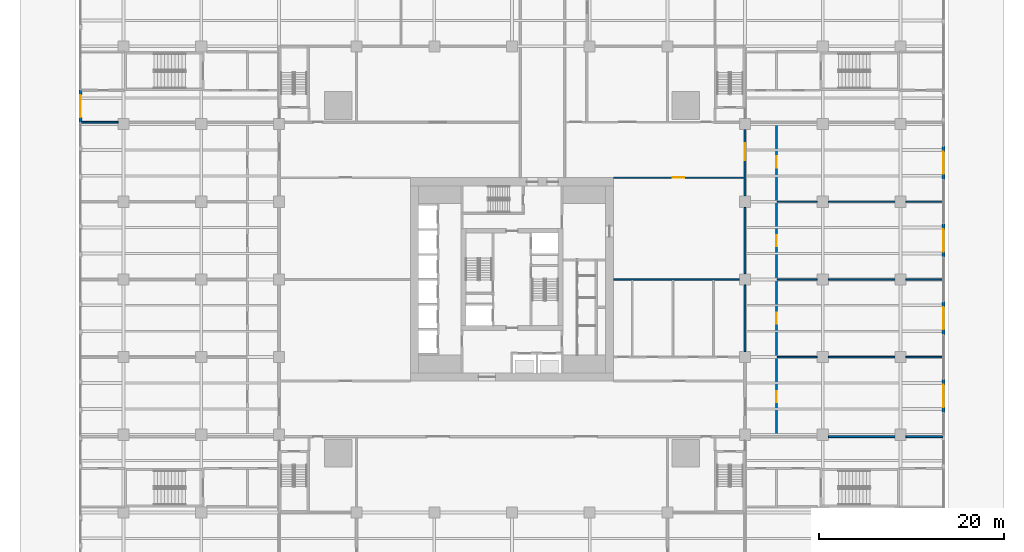
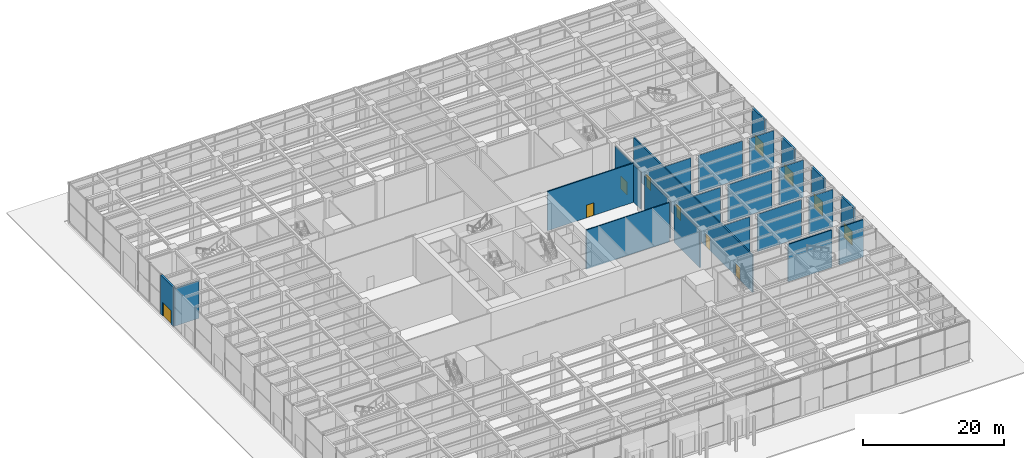
# One storey, part 33 of 43: 23 walls, 11 doors, 11 openings.
"""IFC4 building model written with IfcOpenShell, lengths in metres."""

from ifc_helpers import new_model, si_unit, direction, frame, frame_2d, origin, place, context, subcontext, project, spatial, rectangle, extrude, material, layer, layer_set, type_object, element, fill, save


model = new_model("IFC4")

# Units and contexts
model_context = context("Model", 3, precision=1e-05, world=origin(), true_north=direction((0.0, 1.0)))
body_context = subcontext(model_context, "Body", "Model", "MODEL_VIEW")
ifc_project = project(units=[si_unit("LENGTHUNIT", "METRE"), si_unit("AREAUNIT", "SQUARE_METRE"), si_unit("VOLUMEUNIT", "CUBIC_METRE"), si_unit("PLANEANGLEUNIT", "RADIAN"), si_unit("MASSUNIT", "GRAM", prefix="KILO")], contexts=[model_context])

# Site, building, storey
site_placement = place(None, origin())
site = spatial("IfcSite", under=ifc_project, at=site_placement, CompositionType="ELEMENT")
building_placement = place(site_placement, origin())
building = spatial("IfcBuilding", under=site, at=building_placement, Name="Khepri Terraces", CompositionType="ELEMENT")
storey_placement = place(building_placement, origin())
storey = spatial("IfcBuildingStorey", under=building, at=storey_placement, Name="L00", CompositionType="ELEMENT", Elevation=0.0)

# Wall, opening, door
ifc_material_1 = material(Name="Precast concrete C50/60 warm stone", Category="masonry")
ifc_layer_1 = layer(ifc_material_1, 0.300048828125, Name="Precast concrete C50/60 warm stone", Category="masonry")
ifc_layer_set_1 = layer_set([ifc_layer_1], Name="Precast concrete C50/60 warm stone")
wall_type_1 = type_object("IfcWallType", Name="WL-EXT-PRECAST-300", PredefinedType="STANDARD", material=ifc_layer_set_1)
wall_1_placement = place(storey_placement, frame((46.64990234375, -14.39990234375, 0.0), z_axis=(0.0, 0.0, 1.0), x_axis=(0.0, 1.0, 0.0)))
wall_1 = element("IfcWall", 1, at=wall_1_placement, inside=storey, type_object=wall_type_1, Name="External wall L00 E", PredefinedType="STANDARD", context=body_context, shape_type="SweptSolid", body=[
    extrude(rectangle(XDim=3.599853515625, YDim=0.300048828125, at=frame_2d((1.7998046875, 0.0))), origin(), (0.0, 0.0, 1.0), 6.780029296875),
])
opening_1_placement = place(wall_1_placement, frame((0.60009765625, 0.0, 0.0)))
opening_1 = element("IfcOpeningElement", 2, at=opening_1_placement, cuts=wall_1, Name="Opening ED-L00-04", PredefinedType="OPENING", context=body_context, shape_type="SweptSolid", body=[
    extrude(rectangle(XDim=2.39990234375, YDim=2.39990234375, at=frame_2d((1.199951171875, 1.199951171875))), frame((0.0, 0.16015625, 0.0), z_axis=(0.0, -1.0, 0.0), x_axis=(1.0, 0.0, 0.0)), (0.0, 0.0, 1.0), 0.320068359375),
])
ifc_material_2 = material(Name="Anodised aluminium bronze glazed door", Category="aluminium")
door_type_1 = type_object("IfcDoorType", Name="DR-SHOP-2400x2400", OperationType="NOTDEFINED", PredefinedType="DOOR", material=ifc_material_2)
door_1_placement = place(opening_1_placement, frame((2.39990234375, 0.0, 0.0), z_axis=(0.0, 0.0, 1.0), x_axis=(-1.0, 0.0, 0.0)))
door_1 = element("IfcDoor", 3, at=door_1_placement, inside=storey, type_object=door_type_1, Name="Retail door L00 E", OperationType="DOUBLE_DOOR_SINGLE_SWING", OverallHeight=2.39990234375, OverallWidth=2.39990234375, PredefinedType="DOOR", context=body_context, shape_type="SweptSolid", body=[
    extrude(rectangle(XDim=2.39990234375, YDim=2.39990234375, at=frame_2d((1.199951171875, 1.199951171875))), frame((0.0, 0.02490234375, 0.0), z_axis=(0.0, -1.0, 0.0), x_axis=(1.0, 0.0, 0.0)), (0.0, 0.0, 1.0), 0.050048828125),
])
fill(opening_1, door_1)

wall_2_placement = place(storey_placement, frame((46.64990234375, -6.0, 0.0), z_axis=(0.0, 0.0, 1.0), x_axis=(0.0, 1.0, 0.0)))
wall_2 = element("IfcWall", 4, at=wall_2_placement, inside=storey, type_object=wall_type_1, Name="External wall L00 E", PredefinedType="STANDARD", context=body_context, shape_type="SweptSolid", body=[
    extrude(rectangle(XDim=3.60009765625, YDim=0.300048828125, at=frame_2d((1.800048828125, 0.0))), origin(), (0.0, 0.0, 1.0), 6.780029296875),
])
opening_2_placement = place(wall_2_placement, frame((0.60009765625, 0.0, 0.0)))
opening_2 = element("IfcOpeningElement", 5, at=opening_2_placement, cuts=wall_2, Name="Opening ED-L00-05", PredefinedType="OPENING", context=body_context, shape_type="SweptSolid", body=[
    extrude(rectangle(XDim=2.39990234375, YDim=2.39990234375, at=frame_2d((1.199951171875, 1.199951171875))), frame((0.0, 0.16015625, 0.0), z_axis=(0.0, -1.0, 0.0), x_axis=(1.0, 0.0, 0.0)), (0.0, 0.0, 1.0), 0.320068359375),
])
door_2_placement = place(opening_2_placement, frame((2.39990234375, 0.0, 0.0), z_axis=(0.0, 0.0, 1.0), x_axis=(-1.0, 0.0, 0.0)))
door_2 = element("IfcDoor", 6, at=door_2_placement, inside=storey, type_object=door_type_1, Name="Retail door L00 E", OperationType="DOUBLE_DOOR_SINGLE_SWING", OverallHeight=2.39990234375, OverallWidth=2.39990234375, PredefinedType="DOOR", context=body_context, shape_type="SweptSolid", body=[
    extrude(rectangle(XDim=2.39990234375, YDim=2.39990234375, at=frame_2d((1.199951171875, 1.199951171875))), frame((0.0, 0.02490234375, 0.0), z_axis=(0.0, -1.0, 0.0), x_axis=(1.0, 0.0, 0.0)), (0.0, 0.0, 1.0), 0.050048828125),
])
fill(opening_2, door_2)

wall_3_placement = place(storey_placement, frame((46.64990234375, 2.39990234375, 0.0), z_axis=(0.0, 0.0, 1.0), x_axis=(0.0, 1.0, 0.0)))
wall_3 = element("IfcWall", 7, at=wall_3_placement, inside=storey, type_object=wall_type_1, Name="External wall L00 E", PredefinedType="STANDARD", context=body_context, shape_type="SweptSolid", body=[
    extrude(rectangle(XDim=3.60009765625, YDim=0.300048828125, at=frame_2d((1.800048828125, 0.0))), origin(), (0.0, 0.0, 1.0), 6.780029296875),
])
opening_3_placement = place(wall_3_placement, frame((0.60009765625, 0.0, 0.0)))
opening_3 = element("IfcOpeningElement", 8, at=opening_3_placement, cuts=wall_3, Name="Opening ED-L00-06", PredefinedType="OPENING", context=body_context, shape_type="SweptSolid", body=[
    extrude(rectangle(XDim=2.39990234375, YDim=2.39990234375, at=frame_2d((1.199951171875, 1.199951171875))), frame((0.0, 0.16015625, 0.0), z_axis=(0.0, -1.0, 0.0), x_axis=(1.0, 0.0, 0.0)), (0.0, 0.0, 1.0), 0.320068359375),
])
door_3_placement = place(opening_3_placement, frame((2.39990234375, 0.0, 0.0), z_axis=(0.0, 0.0, 1.0), x_axis=(-1.0, 0.0, 0.0)))
door_3 = element("IfcDoor", 9, at=door_3_placement, inside=storey, type_object=door_type_1, Name="Retail door L00 E", OperationType="DOUBLE_DOOR_SINGLE_SWING", OverallHeight=2.39990234375, OverallWidth=2.39990234375, PredefinedType="DOOR", context=body_context, shape_type="SweptSolid", body=[
    extrude(rectangle(XDim=2.39990234375, YDim=2.39990234375, at=frame_2d((1.199951171875, 1.199951171875))), frame((0.0, 0.02490234375, 0.0), z_axis=(0.0, -1.0, 0.0), x_axis=(1.0, 0.0, 0.0)), (0.0, 0.0, 1.0), 0.050048828125),
])
fill(opening_3, door_3)

wall_4_placement = place(storey_placement, frame((46.64990234375, 10.800048828125, 0.0), z_axis=(0.0, 0.0, 1.0), x_axis=(0.0, 1.0, 0.0)))
wall_4 = element("IfcWall", 10, at=wall_4_placement, inside=storey, type_object=wall_type_1, Name="External wall L00 E", PredefinedType="STANDARD", context=body_context, shape_type="SweptSolid", body=[
    extrude(rectangle(XDim=3.599853515625, YDim=0.300048828125, at=frame_2d((1.7998046875, 0.0))), origin(), (0.0, 0.0, 1.0), 6.780029296875),
])
opening_4_placement = place(wall_4_placement, frame((0.60009765625, 0.0, 0.0)))
opening_4 = element("IfcOpeningElement", 11, at=opening_4_placement, cuts=wall_4, Name="Opening ED-L00-07", PredefinedType="OPENING", context=body_context, shape_type="SweptSolid", body=[
    extrude(rectangle(XDim=2.39990234375, YDim=2.39990234375, at=frame_2d((1.199951171875, 1.199951171875))), frame((0.0, 0.16015625, 0.0), z_axis=(0.0, -1.0, 0.0), x_axis=(1.0, 0.0, 0.0)), (0.0, 0.0, 1.0), 0.320068359375),
])
door_4_placement = place(opening_4_placement, frame((2.39990234375, 0.0, 0.0), z_axis=(0.0, 0.0, 1.0), x_axis=(-1.0, 0.0, 0.0)))
door_4 = element("IfcDoor", 12, at=door_4_placement, inside=storey, type_object=door_type_1, Name="Retail door L00 E", OperationType="DOUBLE_DOOR_SINGLE_SWING", OverallHeight=2.39990234375, OverallWidth=2.39990234375, PredefinedType="DOOR", context=body_context, shape_type="SweptSolid", body=[
    extrude(rectangle(XDim=2.39990234375, YDim=2.39990234375, at=frame_2d((1.199951171875, 1.199951171875))), frame((0.0, 0.02490234375, 0.0), z_axis=(0.0, -1.0, 0.0), x_axis=(1.0, 0.0, 0.0)), (0.0, 0.0, 1.0), 0.050048828125),
])
fill(opening_4, door_4)

wall_5_placement = place(storey_placement, frame((-46.64990234375, 20.52490234375, 0.0), z_axis=(0.0, 0.0, 1.0), x_axis=(0.0, -1.0, 0.0)))
wall_5 = element("IfcWall", 13, at=wall_5_placement, inside=storey, type_object=wall_type_1, Name="External wall L00 W", PredefinedType="STANDARD", context=body_context, shape_type="SweptSolid", body=[
    extrude(rectangle(XDim=3.599853515625, YDim=0.300048828125, at=frame_2d((1.7998046875, 0.0))), origin(), (0.0, 0.0, 1.0), 6.780029296875),
])
opening_5_placement = place(wall_5_placement, frame((0.60009765625, 0.0, 0.0)))
opening_5 = element("IfcOpeningElement", 14, at=opening_5_placement, cuts=wall_5, Name="Opening ED-L00-18", PredefinedType="OPENING", context=body_context, shape_type="SweptSolid", body=[
    extrude(rectangle(XDim=2.39990234375, YDim=2.39990234375, at=frame_2d((1.199951171875, 1.199951171875))), frame((0.0, 0.16015625, 0.0), z_axis=(0.0, -1.0, 0.0), x_axis=(1.0, 0.0, 0.0)), (0.0, 0.0, 1.0), 0.320068359375),
])
ifc_material_3 = material(Name="Painted galvanised steel leaf", Category="steel")
door_type_2 = type_object("IfcDoorType", Name="DR-EXIT-2400x2400", OperationType="NOTDEFINED", PredefinedType="DOOR", material=ifc_material_3)
door_5_placement = place(opening_5_placement, frame((2.39990234375, 0.0, 0.0), z_axis=(0.0, 0.0, 1.0), x_axis=(-1.0, 0.0, 0.0)))
door_5 = element("IfcDoor", 15, at=door_5_placement, inside=storey, type_object=door_type_2, Name="Stair discharge door L00 W", OperationType="SINGLE_SWING_LEFT", OverallHeight=2.39990234375, OverallWidth=2.39990234375, PredefinedType="DOOR", context=body_context, shape_type="SweptSolid", body=[
    extrude(rectangle(XDim=2.39990234375, YDim=2.39990234375, at=frame_2d((1.199951171875, 1.199951171875))), frame((0.0, 0.02490234375, 0.0), z_axis=(0.0, -1.0, 0.0), x_axis=(1.0, 0.0, 0.0)), (0.0, 0.0, 1.0), 0.050048828125),
])
fill(opening_5, door_5)

# Walls
ifc_material_4 = material(Name="Gypsum board partition")
ifc_layer_2 = layer(ifc_material_4, 0.14990234375, Name="Gypsum board partition")
ifc_layer_set_2 = layer_set([ifc_layer_2], Name="Gypsum board partition")
wall_type_2 = type_object("IfcWallType", Name="WL-POD-150", PredefinedType="PARTITIONING", material=ifc_layer_set_2)
wall_6_placement = place(storey_placement, frame((28.699951171875, -8.39990234375, 0.0), z_axis=(0.0, 0.0, 1.0), x_axis=(1.0, 0.0, 0.0)))
element("IfcWall", 16, at=wall_6_placement, inside=storey, type_object=wall_type_2, Name="Partition L00-PW034", PredefinedType="PARTITIONING", context=body_context, shape_type="SweptSolid", body=[
    extrude(rectangle(XDim=4.300048828125, YDim=0.14990234375, at=frame_2d((2.14990234375, 0.0))), origin(), (0.0, 0.0, 1.0), 6.47998046875),
])
wall_7_placement = place(storey_placement, frame((34.199951171875, -8.39990234375, 0.0), z_axis=(0.0, 0.0, 1.0), x_axis=(1.0, 0.0, 0.0)))
element("IfcWall", 17, at=wall_7_placement, inside=storey, type_object=wall_type_2, Name="Partition L00-PW035", PredefinedType="PARTITIONING", context=body_context, shape_type="SweptSolid", body=[
    extrude(rectangle(XDim=7.199951171875, YDim=0.14990234375, at=frame_2d((3.60009765625, 0.0))), origin(), (0.0, 0.0, 1.0), 6.47998046875),
])
wall_8_placement = place(storey_placement, frame((42.60009765625, -8.39990234375, 0.0), z_axis=(0.0, 0.0, 1.0), x_axis=(1.0, 0.0, 0.0)))
element("IfcWall", 18, at=wall_8_placement, inside=storey, type_object=wall_type_2, Name="Partition L00-PW036", PredefinedType="PARTITIONING", context=body_context, shape_type="SweptSolid", body=[
    extrude(rectangle(XDim=3.949951171875, YDim=0.14990234375, at=frame_2d((1.97509765625, 0.0))), origin(), (0.0, 0.0, 1.0), 6.47998046875),
])
wall_9_placement = place(storey_placement, frame((11.0, 0.0, 0.0), z_axis=(0.0, 0.0, 1.0), x_axis=(1.0, 0.0, 0.0)))
element("IfcWall", 19, at=wall_9_placement, inside=storey, type_object=wall_type_2, Name="Partition L00-PW041", PredefinedType="PARTITIONING", context=body_context, shape_type="SweptSolid", body=[
    extrude(rectangle(XDim=13.60009765625, YDim=0.14990234375, at=frame_2d((6.800048828125, 0.0))), origin(), (0.0, 0.0, 1.0), 6.780029296875),
])
wall_10_placement = place(storey_placement, frame((28.699951171875, 0.0, 0.0), z_axis=(0.0, 0.0, 1.0), x_axis=(1.0, 0.0, 0.0)))
element("IfcWall", 20, at=wall_10_placement, inside=storey, type_object=wall_type_2, Name="Partition L00-PW042", PredefinedType="PARTITIONING", context=body_context, shape_type="SweptSolid", body=[
    extrude(rectangle(XDim=4.300048828125, YDim=0.14990234375, at=frame_2d((2.14990234375, 0.0))), origin(), (0.0, 0.0, 1.0), 6.47998046875),
])
wall_11_placement = place(storey_placement, frame((34.199951171875, 0.0, 0.0), z_axis=(0.0, 0.0, 1.0), x_axis=(1.0, 0.0, 0.0)))
element("IfcWall", 21, at=wall_11_placement, inside=storey, type_object=wall_type_2, Name="Partition L00-PW043", PredefinedType="PARTITIONING", context=body_context, shape_type="SweptSolid", body=[
    extrude(rectangle(XDim=7.199951171875, YDim=0.14990234375, at=frame_2d((3.60009765625, 0.0))), origin(), (0.0, 0.0, 1.0), 6.47998046875),
])
wall_12_placement = place(storey_placement, frame((42.60009765625, 0.0, 0.0), z_axis=(0.0, 0.0, 1.0), x_axis=(1.0, 0.0, 0.0)))
element("IfcWall", 22, at=wall_12_placement, inside=storey, type_object=wall_type_2, Name="Partition L00-PW044", PredefinedType="PARTITIONING", context=body_context, shape_type="SweptSolid", body=[
    extrude(rectangle(XDim=3.949951171875, YDim=0.14990234375, at=frame_2d((1.97509765625, 0.0))), origin(), (0.0, 0.0, 1.0), 6.47998046875),
])
wall_13_placement = place(storey_placement, frame((28.699951171875, 8.39990234375, 0.0), z_axis=(0.0, 0.0, 1.0), x_axis=(1.0, 0.0, 0.0)))
element("IfcWall", 23, at=wall_13_placement, inside=storey, type_object=wall_type_2, Name="Partition L00-PW048", PredefinedType="PARTITIONING", context=body_context, shape_type="SweptSolid", body=[
    extrude(rectangle(XDim=4.300048828125, YDim=0.14990234375, at=frame_2d((2.14990234375, 0.0))), origin(), (0.0, 0.0, 1.0), 6.47998046875),
])
wall_14_placement = place(storey_placement, frame((34.199951171875, 8.39990234375, 0.0), z_axis=(0.0, 0.0, 1.0), x_axis=(1.0, 0.0, 0.0)))
element("IfcWall", 24, at=wall_14_placement, inside=storey, type_object=wall_type_2, Name="Partition L00-PW049", PredefinedType="PARTITIONING", context=body_context, shape_type="SweptSolid", body=[
    extrude(rectangle(XDim=7.199951171875, YDim=0.14990234375, at=frame_2d((3.60009765625, 0.0))), origin(), (0.0, 0.0, 1.0), 6.47998046875),
])
wall_15_placement = place(storey_placement, frame((42.60009765625, 8.39990234375, 0.0), z_axis=(0.0, 0.0, 1.0), x_axis=(1.0, 0.0, 0.0)))
element("IfcWall", 25, at=wall_15_placement, inside=storey, type_object=wall_type_2, Name="Partition L00-PW050", PredefinedType="PARTITIONING", context=body_context, shape_type="SweptSolid", body=[
    extrude(rectangle(XDim=3.949951171875, YDim=0.14990234375, at=frame_2d((1.97509765625, 0.0))), origin(), (0.0, 0.0, 1.0), 6.47998046875),
])
ifc_material_5 = material(Name="Fire-rated block wall")
ifc_layer_3 = layer(ifc_material_5, 0.199951171875, Name="Fire-rated block wall")
ifc_layer_set_3 = layer_set([ifc_layer_3], Name="Fire-rated block wall")
wall_type_3 = type_object("IfcWallType", Name="WL-POD-200-EI120", PredefinedType="PARTITIONING", material=ifc_layer_set_3)
wall_16_placement = place(storey_placement, frame((34.199951171875, -17.0, 0.0), z_axis=(0.0, 0.0, 1.0), x_axis=(1.0, 0.0, 0.0)))
element("IfcWall", 26, at=wall_16_placement, inside=storey, type_object=wall_type_3, Name="Partition L00-PW026", PredefinedType="PARTITIONING", context=body_context, shape_type="SweptSolid", body=[
    extrude(rectangle(XDim=7.199951171875, YDim=0.199951171875, at=frame_2d((3.60009765625, 0.0))), origin(), (0.0, 0.0, 1.0), 6.47998046875),
])
for number, where, z_axis, x_axis, name in (
    (27, (42.60009765625, -17.0, 0.0), (0.0, 0.0, 1.0), (1.0, 0.0, 0.0), "Partition L00-PW027"),
    (28, (-46.550048828125, 17.0, 0.0), (0.0, 0.0, 1.0), (1.0, 0.0, 0.0), "Partition L00-PW053"),
):
    element("IfcWall", number, at=place(storey_placement, frame(where, z_axis=z_axis, x_axis=x_axis)), inside=storey, type_object=wall_type_3, Name=name, PredefinedType="PARTITIONING", context=body_context, shape_type="SweptSolid", body=[
        extrude(rectangle(XDim=3.949951171875, YDim=0.199951171875, at=frame_2d((1.97509765625, 0.0))), origin(), (0.0, 0.0, 1.0), 6.47998046875),
    ])

# Wall, opening, door
ifc_layer_4 = layer(ifc_material_5, 0.199951171875, Name="Fire-rated block wall")
ifc_layer_set_4 = layer_set([ifc_layer_4], Name="Fire-rated block wall")
wall_type_4 = type_object("IfcWallType", Name="WL-POD-200-EI60", PredefinedType="PARTITIONING", material=ifc_layer_set_4)
wall_17_placement = place(storey_placement, frame((11.0, 11.0, 0.0), z_axis=(0.0, 0.0, 1.0), x_axis=(1.0, 0.0, 0.0)))
wall_17 = element("IfcWall", 29, at=wall_17_placement, inside=storey, type_object=wall_type_4, Name="Partition L00-PW052", PredefinedType="PARTITIONING", context=body_context, shape_type="SweptSolid", body=[
    extrude(rectangle(XDim=14.10009765625, YDim=0.199951171875, at=frame_2d((7.050048828125, 0.0))), origin(), (0.0, 0.0, 1.0), 6.780029296875),
])
opening_6_placement = place(wall_17_placement, frame((6.39990234375, 0.0, 0.0)))
opening_6 = element("IfcOpeningElement", 30, at=opening_6_placement, cuts=wall_17, Name="Opening L00-P36", PredefinedType="OPENING", context=body_context, shape_type="SweptSolid", body=[
    extrude(rectangle(XDim=1.199951171875, YDim=2.199951171875, at=frame_2d((0.60009765625, 1.10009765625))), frame((0.0, 0.10986328125, 0.0), z_axis=(0.0, -1.0, 0.0), x_axis=(1.0, 0.0, 0.0)), (0.0, 0.0, 1.0), 0.219970703125),
])
ifc_material_6 = material(Name="Timber veneer", Category="wood")
door_type_3 = type_object("IfcDoorType", Name="DR-POD-SINGLE-1200", OperationType="NOTDEFINED", PredefinedType="DOOR", material=ifc_material_6)
door_6_placement = place(opening_6_placement, origin())
door_6 = element("IfcDoor", 31, at=door_6_placement, inside=storey, type_object=door_type_3, Name="Door L00-P36", OperationType="SINGLE_SWING_RIGHT", OverallHeight=2.199951171875, OverallWidth=1.199951171875, PredefinedType="DOOR", context=body_context, shape_type="SweptSolid", body=[
    extrude(rectangle(XDim=1.199951171875, YDim=2.199951171875, at=frame_2d((0.60009765625, 1.10009765625))), frame((0.0, 0.02490234375, 0.0), z_axis=(0.0, -1.0, 0.0), x_axis=(1.0, 0.0, 0.0)), (0.0, 0.0, 1.0), 0.050048828125),
])
fill(opening_6, door_6)

# Walls
for number, where, z_axis, x_axis, name in (
    (32, (25.199951171875, -7.800048828125, 0.0), (0.0, 0.0, 1.0), (0.0, 1.0, 0.0), "Partition L00-PW136"),
    (33, (25.199951171875, 0.60009765625, 0.0), (0.0, 0.0, 1.0), (0.0, 1.0, 0.0), "Partition L00-PW137"),
):
    element("IfcWall", number, at=place(storey_placement, frame(where, z_axis=z_axis, x_axis=x_axis)), inside=storey, type_object=wall_type_4, Name=name, PredefinedType="PARTITIONING", context=body_context, shape_type="SweptSolid", body=[
        extrude(rectangle(XDim=7.199951171875, YDim=0.199951171875, at=frame_2d((3.60009765625, 0.0))), origin(), (0.0, 0.0, 1.0), 6.47998046875),
    ])

# Wall, opening, door
wall_18_placement = place(storey_placement, frame((25.199951171875, 9.0, 0.0), z_axis=(0.0, 0.0, 1.0), x_axis=(0.0, 1.0, 0.0)))
wall_18 = element("IfcWall", 34, at=wall_18_placement, inside=storey, type_object=wall_type_4, Name="Partition L00-PW138", PredefinedType="PARTITIONING", context=body_context, shape_type="SweptSolid", body=[
    extrude(rectangle(XDim=7.199951171875, YDim=0.199951171875, at=frame_2d((3.60009765625, 0.0))), origin(), (0.0, 0.0, 1.0), 6.47998046875),
])
opening_7_placement = place(wall_18_placement, frame((3.89990234375, 0.0, 0.0)))
opening_7 = element("IfcOpeningElement", 35, at=opening_7_placement, cuts=wall_18, Name="Opening L00-P40", PredefinedType="OPENING", context=body_context, shape_type="SweptSolid", body=[
    extrude(rectangle(XDim=1.800048828125, YDim=2.199951171875, at=frame_2d((0.89990234375, 1.10009765625))), frame((0.0, 0.10986328125, 0.0), z_axis=(0.0, -1.0, 0.0), x_axis=(1.0, 0.0, 0.0)), (0.0, 0.0, 1.0), 0.219970703125),
])
ifc_material_7 = material(Name="Painted steel", Category="steel")
door_type_4 = type_object("IfcDoorType", Name="DR-POD-FIRE-PAIR-1800", OperationType="DOUBLE_DOOR_SINGLE_SWING", PredefinedType="DOOR", material=ifc_material_7)
door_7_placement = place(opening_7_placement, origin())
door_7 = element("IfcDoor", 36, at=door_7_placement, inside=storey, type_object=door_type_4, Name="Fire door pair L00-P40", OperationType="DOUBLE_DOOR_SINGLE_SWING", OverallHeight=2.199951171875, OverallWidth=1.800048828125, PredefinedType="DOOR", context=body_context, shape_type="SweptSolid", body=[
    extrude(rectangle(XDim=1.800048828125, YDim=2.199951171875, at=frame_2d((0.89990234375, 1.10009765625))), frame((0.0, 0.02490234375, 0.0), z_axis=(0.0, -1.0, 0.0), x_axis=(1.0, 0.0, 0.0)), (0.0, 0.0, 1.0), 0.050048828125),
])
fill(opening_7, door_7)

# Wall, openings, doors
wall_19_placement = place(storey_placement, frame((28.60009765625, -16.89990234375, 0.0), z_axis=(0.0, 0.0, 1.0), x_axis=(0.0, 1.0, 0.0)))
wall_19 = element("IfcWall", 37, at=wall_19_placement, inside=storey, type_object=wall_type_4, Name="Partition L00-PW141", PredefinedType="PARTITIONING", context=body_context, shape_type="SweptSolid", body=[
    extrude(rectangle(XDim=33.7998046875, YDim=0.199951171875, at=frame_2d((16.89990234375, 0.0))), origin(), (0.0, 0.0, 1.0), 6.47998046875),
])
opening_8_placement = place(wall_19_placement, frame((3.60009765625, 0.0, 0.0)))
opening_8 = element("IfcOpeningElement", 38, at=opening_8_placement, cuts=wall_19, Name="Opening L00-P24", PredefinedType="OPENING", context=body_context, shape_type="SweptSolid", body=[
    extrude(rectangle(XDim=1.199951171875, YDim=2.199951171875, at=frame_2d((0.60009765625, 1.10009765625))), frame((0.0, 0.10986328125, 0.0), z_axis=(0.0, -1.0, 0.0), x_axis=(1.0, 0.0, 0.0)), (0.0, 0.0, 1.0), 0.219970703125),
])
opening_9_placement = place(wall_19_placement, frame((12.10009765625, 0.0, 0.0)))
opening_9 = element("IfcOpeningElement", 39, at=opening_9_placement, cuts=wall_19, Name="Opening L00-P32", PredefinedType="OPENING", context=body_context, shape_type="SweptSolid", body=[
    extrude(rectangle(XDim=1.199951171875, YDim=2.199951171875, at=frame_2d((0.60009765625, 1.10009765625))), frame((0.0, 0.10986328125, 0.0), z_axis=(0.0, -1.0, 0.0), x_axis=(1.0, 0.0, 0.0)), (0.0, 0.0, 1.0), 0.219970703125),
])
opening_10_placement = place(wall_19_placement, frame((20.5, 0.0, 0.0)))
opening_10 = element("IfcOpeningElement", 40, at=opening_10_placement, cuts=wall_19, Name="Opening L00-P34", PredefinedType="OPENING", context=body_context, shape_type="SweptSolid", body=[
    extrude(rectangle(XDim=1.199951171875, YDim=2.199951171875, at=frame_2d((0.60009765625, 1.10009765625))), frame((0.0, 0.10986328125, 0.0), z_axis=(0.0, -1.0, 0.0), x_axis=(1.0, 0.0, 0.0)), (0.0, 0.0, 1.0), 0.219970703125),
])
opening_11_placement = place(wall_19_placement, frame((29.0, 0.0, 0.0)))
opening_11 = element("IfcOpeningElement", 41, at=opening_11_placement, cuts=wall_19, Name="Opening L00-P38", PredefinedType="OPENING", context=body_context, shape_type="SweptSolid", body=[
    extrude(rectangle(XDim=1.199951171875, YDim=2.199951171875, at=frame_2d((0.60009765625, 1.10009765625))), frame((0.0, 0.10986328125, 0.0), z_axis=(0.0, -1.0, 0.0), x_axis=(1.0, 0.0, 0.0)), (0.0, 0.0, 1.0), 0.219970703125),
])
door_8_placement = place(opening_8_placement, origin())
door_8 = element("IfcDoor", 42, at=door_8_placement, inside=storey, type_object=door_type_3, Name="Door L00-P24", OperationType="SINGLE_SWING_RIGHT", OverallHeight=2.199951171875, OverallWidth=1.199951171875, PredefinedType="DOOR", context=body_context, shape_type="SweptSolid", body=[
    extrude(rectangle(XDim=1.199951171875, YDim=2.199951171875, at=frame_2d((0.60009765625, 1.10009765625))), frame((0.0, 0.02490234375, 0.0), z_axis=(0.0, -1.0, 0.0), x_axis=(1.0, 0.0, 0.0)), (0.0, 0.0, 1.0), 0.050048828125),
])
fill(opening_8, door_8)
door_9_placement = place(opening_9_placement, origin())
door_9 = element("IfcDoor", 43, at=door_9_placement, inside=storey, type_object=door_type_3, Name="Door L00-P32", OperationType="SINGLE_SWING_RIGHT", OverallHeight=2.199951171875, OverallWidth=1.199951171875, PredefinedType="DOOR", context=body_context, shape_type="SweptSolid", body=[
    extrude(rectangle(XDim=1.199951171875, YDim=2.199951171875, at=frame_2d((0.60009765625, 1.10009765625))), frame((0.0, 0.02490234375, 0.0), z_axis=(0.0, -1.0, 0.0), x_axis=(1.0, 0.0, 0.0)), (0.0, 0.0, 1.0), 0.050048828125),
])
fill(opening_9, door_9)
door_10_placement = place(opening_10_placement, origin())
door_10 = element("IfcDoor", 44, at=door_10_placement, inside=storey, type_object=door_type_3, Name="Door L00-P34", OperationType="SINGLE_SWING_LEFT", OverallHeight=2.199951171875, OverallWidth=1.199951171875, PredefinedType="DOOR", context=body_context, shape_type="SweptSolid", body=[
    extrude(rectangle(XDim=1.199951171875, YDim=2.199951171875, at=frame_2d((0.60009765625, 1.10009765625))), frame((0.0, 0.02490234375, 0.0), z_axis=(0.0, -1.0, 0.0), x_axis=(1.0, 0.0, 0.0)), (0.0, 0.0, 1.0), 0.050048828125),
])
fill(opening_10, door_10)
door_11_placement = place(opening_11_placement, origin())
door_11 = element("IfcDoor", 45, at=door_11_placement, inside=storey, type_object=door_type_3, Name="Door L00-P38", OperationType="SINGLE_SWING_LEFT", OverallHeight=2.199951171875, OverallWidth=1.199951171875, PredefinedType="DOOR", context=body_context, shape_type="SweptSolid", body=[
    extrude(rectangle(XDim=1.199951171875, YDim=2.199951171875, at=frame_2d((0.60009765625, 1.10009765625))), frame((0.0, 0.02490234375, 0.0), z_axis=(0.0, -1.0, 0.0), x_axis=(1.0, 0.0, 0.0)), (0.0, 0.0, 1.0), 0.050048828125),
])
fill(opening_11, door_11)

save(model, "model.ifc")
